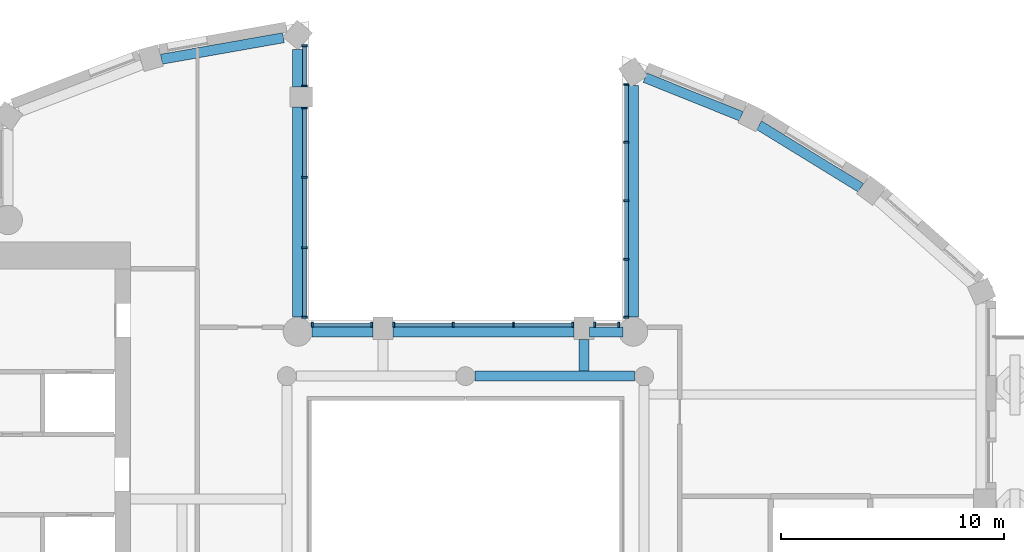
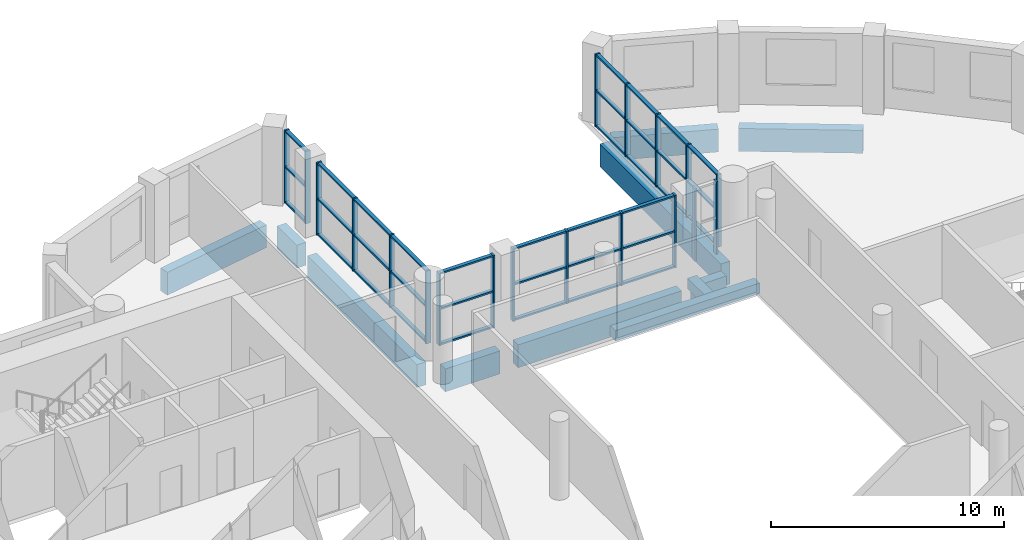
# One storey, part 2 of 14: 55 members, 11 beams, 6 elements without a shape of their own.
"""IFC4 building model written with IfcOpenShell, lengths in metres."""

from ifc_helpers import new_model, si_unit, direction, frame, origin, origin_2d, place, context, subcontext, project, spatial, rectangle, extrude, material, material_profile, profile_set, type_object, element, aggregate, save


model = new_model("IFC4")

# Units and contexts
model_context = context("Model", 3, precision=1e-05, world=origin(), true_north=direction((0.0, 1.0)))
body_context = subcontext(model_context, "Body", "Model", "MODEL_VIEW")
ifc_project = project(units=[si_unit("LENGTHUNIT", "METRE"), si_unit("AREAUNIT", "SQUARE_METRE"), si_unit("VOLUMEUNIT", "CUBIC_METRE"), si_unit("PLANEANGLEUNIT", "RADIAN"), si_unit("MASSUNIT", "GRAM", prefix="KILO")], contexts=[model_context])

# Site, building, storey
site_placement = place(None, origin())
site = spatial("IfcSite", under=ifc_project, at=site_placement, CompositionType="ELEMENT")
building_placement = place(site_placement, origin())
building = spatial("IfcBuilding", under=site, at=building_placement, Name="Cypress Arch Tower", CompositionType="ELEMENT")
storey_placement = place(building_placement, frame((0.0, 0.0, 251.60009765625)))
storey = spatial("IfcBuildingStorey", under=building, at=storey_placement, Name="L56", CompositionType="ELEMENT", Elevation=251.60009765625)

# Beams
ifc_material_1 = material(Name="Concrete C50/60", Category="concrete")
ifc_material_profile_1 = material_profile(ifc_material_1, rectangle(XDim=0.449951171875, YDim=0.550048828125, at=origin_2d()), Name="RC 450x550")
ifc_profile_set_1 = profile_set([ifc_material_profile_1], Name="Concrete C50/60")
beam_type_1 = type_object("IfcBeamType", Name="Floor beam RC 450x550 Concrete C50/60", PredefinedType="BEAM", material=ifc_profile_set_1)
beam_1_placement = place(storey_placement, frame((1.425048828125, 10.0, -0.5751953125), z_axis=(1.0, 0.0, 0.0), x_axis=(0.0, 1.0, 0.0)))
element("IfcBeam", 1, at=beam_1_placement, inside=storey, type_object=beam_type_1, Name="Floor beam L56 RB008", PredefinedType="BEAM", context=body_context, shape_type="SweptSolid", body=[
    extrude(rectangle(XDim=0.449951171875, YDim=0.550048828125, at=origin_2d()), origin(), (0.0, 0.0, 1.0), 7.14990234375),
])
beam_2_placement = place(storey_placement, frame((6.300048828125, 10.22509765625, -0.5751953125), z_axis=(0.0, 1.0, 0.0), x_axis=(-1.0, 0.0, 0.0)))
element("IfcBeam", 2, at=beam_2_placement, inside=storey, type_object=beam_type_1, Name="Floor beam L56 FB013", PredefinedType="BEAM", context=body_context, shape_type="SweptSolid", body=[
    extrude(rectangle(XDim=0.449951171875, YDim=0.550048828125, at=origin_2d()), origin(), (0.0, 0.0, 1.0), 1.4248046875),
])

# Curtain wall, members
ifc_material_2 = material(Name="Anodised aluminium, bronze finish, clear laminated double glazing", Category="aluminium")
curtain_wall_type = type_object("IfcCurtainWallType", Name="Curtain wall CW7 slot glazing", PredefinedType="NOTDEFINED", material=ifc_material_2)
curtain_wall_1_placement = place(storey_placement, origin())
curtain_wall_1 = element("IfcCurtainWall", 3, at=curtain_wall_1_placement, inside=storey, type_object=curtain_wall_type, Name="Curtain wall L56 slot C00.0", PredefinedType="NOTDEFINED")
ifc_material_3 = material(Name="Anodised aluminium, bronze finish", Category="aluminium")
ifc_material_profile_2 = material_profile(ifc_material_3, rectangle(XDim=0.239990234375, YDim=0.0849609375, at=origin_2d()), Name="Mullion 85x240")
ifc_profile_set_2 = profile_set([ifc_material_profile_2], Name="Anodised aluminium, bronze finish")
member_type_1 = type_object("IfcMemberType", Name="Mullion CW7 85x240", PredefinedType="MULLION", material=ifc_profile_set_2)
member_1_placement = place(storey_placement, frame((8.199951171875, 23.060302734375, 0.0), z_axis=(0.0, 0.0, 1.0), x_axis=(1.0, 0.0, 0.0)))
member_1 = element("IfcMember", 4, at=member_1_placement, type_object=member_type_1, Name="CW7 mullion 1", PredefinedType="MULLION", context=body_context, shape_type="SweptSolid", body=[
    extrude(rectangle(XDim=0.239990234375, YDim=0.0849609375, at=origin_2d()), origin(), (0.0, 0.0, 1.0), 3.7998046875),
])
member_2_placement = place(storey_placement, frame((8.199951171875, 20.477294921875, 0.0), z_axis=(0.0, 0.0, 1.0), x_axis=(1.0, 0.0, 0.0)))
member_2 = element("IfcMember", 5, at=member_2_placement, type_object=member_type_1, Name="CW7 mullion 2", PredefinedType="MULLION", context=body_context, shape_type="SweptSolid", body=[
    extrude(rectangle(XDim=0.239990234375, YDim=0.0849609375, at=origin_2d()), origin(), (0.0, 0.0, 1.0), 3.7998046875),
])
member_3_placement = place(storey_placement, frame((8.199951171875, 17.85205078125, 0.0), z_axis=(0.0, 0.0, 1.0), x_axis=(1.0, 0.0, 0.0)))
member_3 = element("IfcMember", 6, at=member_3_placement, type_object=member_type_1, Name="CW7 mullion 3", PredefinedType="MULLION", context=body_context, shape_type="SweptSolid", body=[
    extrude(rectangle(XDim=0.239990234375, YDim=0.0849609375, at=origin_2d()), origin(), (0.0, 0.0, 1.0), 3.7998046875),
])
member_4_placement = place(storey_placement, frame((8.199951171875, 15.226806640625, 0.0), z_axis=(0.0, 0.0, 1.0), x_axis=(1.0, 0.0, 0.0)))
member_4 = element("IfcMember", 7, at=member_4_placement, type_object=member_type_1, Name="CW7 mullion 4", PredefinedType="MULLION", context=body_context, shape_type="SweptSolid", body=[
    extrude(rectangle(XDim=0.239990234375, YDim=0.0849609375, at=origin_2d()), origin(), (0.0, 0.0, 1.0), 3.7998046875),
])
member_5_placement = place(storey_placement, frame((8.199951171875, 12.64404296875, 0.0), z_axis=(0.0, 0.0, 1.0), x_axis=(1.0, 0.0, 0.0)))
member_5 = element("IfcMember", 8, at=member_5_placement, type_object=member_type_1, Name="CW7 mullion 5", PredefinedType="MULLION", context=body_context, shape_type="SweptSolid", body=[
    extrude(rectangle(XDim=0.239990234375, YDim=0.0849609375, at=origin_2d()), origin(), (0.0, 0.0, 1.0), 3.7998046875),
])

curtain_wall_2_placement = place(storey_placement, origin())
curtain_wall_2 = element("IfcCurtainWall", 9, at=curtain_wall_2_placement, inside=storey, type_object=curtain_wall_type, Name="Curtain wall L56 slot C01.0", PredefinedType="NOTDEFINED")
member_6_placement = place(storey_placement, frame((7.85595703125, 12.300048828125, 0.0), z_axis=(0.0, 0.0, 1.0), x_axis=(0.0, -1.0, 0.0)))
member_6 = element("IfcMember", 10, at=member_6_placement, type_object=member_type_1, Name="CW7 mullion 1", PredefinedType="MULLION", context=body_context, shape_type="SweptSolid", body=[
    extrude(rectangle(XDim=0.239990234375, YDim=0.0849609375, at=origin_2d()), origin(), (0.0, 0.0, 1.0), 3.7998046875),
])
member_7_placement = place(storey_placement, frame((6.79248046875, 12.300048828125, 0.0), z_axis=(0.0, 0.0, 1.0), x_axis=(0.0, -1.0, 0.0)))
member_7 = element("IfcMember", 11, at=member_7_placement, type_object=member_type_1, Name="CW7 mullion 2", PredefinedType="MULLION", context=body_context, shape_type="SweptSolid", body=[
    extrude(rectangle(XDim=0.239990234375, YDim=0.0849609375, at=origin_2d()), origin(), (0.0, 0.0, 1.0), 3.7998046875),
])
aggregate(curtain_wall_2, [member_6, member_7])

curtain_wall_3_placement = place(storey_placement, origin())
curtain_wall_3 = element("IfcCurtainWall", 12, at=curtain_wall_3_placement, inside=storey, type_object=curtain_wall_type, Name="Curtain wall L56 slot C01.1", PredefinedType="NOTDEFINED")
member_8_placement = place(storey_placement, frame((5.8076171875, 12.300048828125, 0.0), z_axis=(0.0, 0.0, 1.0), x_axis=(0.0, -1.0, 0.0)))
member_8 = element("IfcMember", 13, at=member_8_placement, type_object=member_type_1, Name="CW7 mullion 1", PredefinedType="MULLION", context=body_context, shape_type="SweptSolid", body=[
    extrude(rectangle(XDim=0.239990234375, YDim=0.0849609375, at=origin_2d()), origin(), (0.0, 0.0, 1.0), 3.7998046875),
])
member_9_placement = place(storey_placement, frame((3.14990234375, 12.300048828125, 0.0), z_axis=(0.0, 0.0, 1.0), x_axis=(0.0, -1.0, 0.0)))
member_9 = element("IfcMember", 14, at=member_9_placement, type_object=member_type_1, Name="CW7 mullion 2", PredefinedType="MULLION", context=body_context, shape_type="SweptSolid", body=[
    extrude(rectangle(XDim=0.239990234375, YDim=0.0849609375, at=origin_2d()), origin(), (0.0, 0.0, 1.0), 3.7998046875),
])
member_10_placement = place(storey_placement, frame((0.449951171875, 12.300048828125, 0.0), z_axis=(0.0, 0.0, 1.0), x_axis=(0.0, -1.0, 0.0)))
member_10 = element("IfcMember", 15, at=member_10_placement, type_object=member_type_1, Name="CW7 mullion 3", PredefinedType="MULLION", context=body_context, shape_type="SweptSolid", body=[
    extrude(rectangle(XDim=0.239990234375, YDim=0.0849609375, at=origin_2d()), origin(), (0.0, 0.0, 1.0), 3.7998046875),
])
member_11_placement = place(storey_placement, frame((-2.20751953125, 12.300048828125, 0.0), z_axis=(0.0, 0.0, 1.0), x_axis=(0.0, -1.0, 0.0)))
member_11 = element("IfcMember", 16, at=member_11_placement, type_object=member_type_1, Name="CW7 mullion 4", PredefinedType="MULLION", context=body_context, shape_type="SweptSolid", body=[
    extrude(rectangle(XDim=0.239990234375, YDim=0.0849609375, at=origin_2d()), origin(), (0.0, 0.0, 1.0), 3.7998046875),
])

curtain_wall_4_placement = place(storey_placement, origin())
curtain_wall_4 = element("IfcCurtainWall", 17, at=curtain_wall_4_placement, inside=storey, type_object=curtain_wall_type, Name="Curtain wall L56 slot C01.2", PredefinedType="NOTDEFINED")
member_12_placement = place(storey_placement, frame((-3.1923828125, 12.300048828125, 0.0), z_axis=(0.0, 0.0, 1.0), x_axis=(0.0, -1.0, 0.0)))
member_12 = element("IfcMember", 18, at=member_12_placement, type_object=member_type_1, Name="CW7 mullion 1", PredefinedType="MULLION", context=body_context, shape_type="SweptSolid", body=[
    extrude(rectangle(XDim=0.239990234375, YDim=0.0849609375, at=origin_2d()), origin(), (0.0, 0.0, 1.0), 3.7998046875),
])
member_13_placement = place(storey_placement, frame((-5.85595703125, 12.300048828125, 0.0), z_axis=(0.0, 0.0, 1.0), x_axis=(0.0, -1.0, 0.0)))
member_13 = element("IfcMember", 19, at=member_13_placement, type_object=member_type_1, Name="CW7 mullion 2", PredefinedType="MULLION", context=body_context, shape_type="SweptSolid", body=[
    extrude(rectangle(XDim=0.239990234375, YDim=0.0849609375, at=origin_2d()), origin(), (0.0, 0.0, 1.0), 3.7998046875),
])

curtain_wall_5_placement = place(storey_placement, origin())
curtain_wall_5 = element("IfcCurtainWall", 20, at=curtain_wall_5_placement, inside=storey, type_object=curtain_wall_type, Name="Curtain wall L56 slot C02.0", PredefinedType="NOTDEFINED")
member_14_placement = place(storey_placement, frame((-6.199951171875, 12.64404296875, 0.0), z_axis=(0.0, 0.0, 1.0), x_axis=(-1.0, 0.0, 0.0)))
member_14 = element("IfcMember", 21, at=member_14_placement, type_object=member_type_1, Name="CW7 mullion 1", PredefinedType="MULLION", context=body_context, shape_type="SweptSolid", body=[
    extrude(rectangle(XDim=0.239990234375, YDim=0.0849609375, at=origin_2d()), origin(), (0.0, 0.0, 1.0), 3.7998046875),
])
member_15_placement = place(storey_placement, frame((-6.199951171875, 15.7509765625, 0.0), z_axis=(0.0, 0.0, 1.0), x_axis=(-1.0, 0.0, 0.0)))
member_15 = element("IfcMember", 22, at=member_15_placement, type_object=member_type_1, Name="CW7 mullion 2", PredefinedType="MULLION", context=body_context, shape_type="SweptSolid", body=[
    extrude(rectangle(XDim=0.239990234375, YDim=0.0849609375, at=origin_2d()), origin(), (0.0, 0.0, 1.0), 3.7998046875),
])
member_16_placement = place(storey_placement, frame((-6.199951171875, 18.900390625, 0.0), z_axis=(0.0, 0.0, 1.0), x_axis=(-1.0, 0.0, 0.0)))
member_16 = element("IfcMember", 23, at=member_16_placement, type_object=member_type_1, Name="CW7 mullion 3", PredefinedType="MULLION", context=body_context, shape_type="SweptSolid", body=[
    extrude(rectangle(XDim=0.239990234375, YDim=0.0849609375, at=origin_2d()), origin(), (0.0, 0.0, 1.0), 3.7998046875),
])
member_17_placement = place(storey_placement, frame((-6.199951171875, 22.007568359375, 0.0), z_axis=(0.0, 0.0, 1.0), x_axis=(-1.0, 0.0, 0.0)))
member_17 = element("IfcMember", 24, at=member_17_placement, type_object=member_type_1, Name="CW7 mullion 4", PredefinedType="MULLION", context=body_context, shape_type="SweptSolid", body=[
    extrude(rectangle(XDim=0.239990234375, YDim=0.0849609375, at=origin_2d()), origin(), (0.0, 0.0, 1.0), 3.7998046875),
])

curtain_wall_6_placement = place(storey_placement, origin())
curtain_wall_6 = element("IfcCurtainWall", 25, at=curtain_wall_6_placement, inside=storey, type_object=curtain_wall_type, Name="Curtain wall L56 slot C02.1", PredefinedType="NOTDEFINED")
member_18_placement = place(storey_placement, frame((-6.199951171875, 22.992431640625, 0.0), z_axis=(0.0, 0.0, 1.0), x_axis=(-1.0, 0.0, 0.0)))
member_18 = element("IfcMember", 26, at=member_18_placement, type_object=member_type_1, Name="CW7 mullion 1", PredefinedType="MULLION", context=body_context, shape_type="SweptSolid", body=[
    extrude(rectangle(XDim=0.239990234375, YDim=0.0849609375, at=origin_2d()), origin(), (0.0, 0.0, 1.0), 3.7998046875),
])
member_19_placement = place(storey_placement, frame((-6.199951171875, 24.789794921875, 0.0), z_axis=(0.0, 0.0, 1.0), x_axis=(-1.0, 0.0, 0.0)))
member_19 = element("IfcMember", 27, at=member_19_placement, type_object=member_type_1, Name="CW7 mullion 2", PredefinedType="MULLION", context=body_context, shape_type="SweptSolid", body=[
    extrude(rectangle(XDim=0.239990234375, YDim=0.0849609375, at=origin_2d()), origin(), (0.0, 0.0, 1.0), 3.7998046875),
])

# Beams
ifc_material_4 = material(Name="Concrete C50/60", Category="concrete")
ifc_material_profile_3 = material_profile(ifc_material_4, rectangle(XDim=0.449951171875, YDim=1.199951171875, at=origin_2d()), Name="RC 450x1200")
ifc_profile_set_3 = profile_set([ifc_material_profile_3], Name="Concrete C50/60")
beam_type_2 = type_object("IfcBeamType", Name="Spandrel beam RC 450x1200 Concrete C50/60", PredefinedType="SPANDREL", material=ifc_profile_set_3)
beam_3_placement = place(storey_placement, frame((8.52490234375, 23.017578125, -1.550048828125), z_axis=(0.0, -1.0, 0.0), x_axis=(1.0, 0.0, 0.0)))
element("IfcBeam", 28, at=beam_3_placement, inside=storey, type_object=beam_type_2, Name="Spandrel beam L56 BC00-0", PredefinedType="SPANDREL", context=body_context, shape_type="SweptSolid", body=[
    extrude(rectangle(XDim=0.449951171875, YDim=1.199951171875, at=origin_2d()), origin(), (0.0, 0.0, 1.0), 10.380126953125),
])
beam_4_placement = place(storey_placement, frame((8.05615234375, 11.97509765625, -1.550048828125), z_axis=(-1.0, 0.0, 0.0), x_axis=(0.0, -1.0, 0.0)))
element("IfcBeam", 29, at=beam_4_placement, inside=storey, type_object=beam_type_2, Name="Spandrel beam L56 BC01-0", PredefinedType="SPANDREL", context=body_context, shape_type="SweptSolid", body=[
    extrude(rectangle(XDim=0.449951171875, YDim=1.199951171875, at=origin_2d()), origin(), (0.0, 0.0, 1.0), 1.5),
])
beam_5_placement = place(storey_placement, frame((5.85009765625, 11.97509765625, -1.550048828125), z_axis=(-1.0, 0.0, 0.0), x_axis=(0.0, -1.0, 0.0)))
element("IfcBeam", 30, at=beam_5_placement, inside=storey, type_object=beam_type_2, Name="Spandrel beam L56 BC01-1", PredefinedType="SPANDREL", context=body_context, shape_type="SweptSolid", body=[
    extrude(rectangle(XDim=0.449951171875, YDim=1.199951171875, at=origin_2d()), origin(), (0.0, 0.0, 1.0), 8.10009765625),
])
beam_6_placement = place(storey_placement, frame((-3.14990234375, 11.97509765625, -1.550048828125), z_axis=(-1.0, 0.0, 0.0), x_axis=(0.0, -1.0, 0.0)))
element("IfcBeam", 31, at=beam_6_placement, inside=storey, type_object=beam_type_2, Name="Spandrel beam L56 BC01-2", PredefinedType="SPANDREL", context=body_context, shape_type="SweptSolid", body=[
    extrude(rectangle(XDim=0.449951171875, YDim=1.199951171875, at=origin_2d()), origin(), (0.0, 0.0, 1.0), 2.712646484375),
])
beam_7_placement = place(storey_placement, frame((-6.52490234375, 12.637451171875, -1.550048828125), z_axis=(0.0, 1.0, 0.0), x_axis=(-1.0, 0.0, 0.0)))
element("IfcBeam", 32, at=beam_7_placement, inside=storey, type_object=beam_type_2, Name="Spandrel beam L56 BC02-0", PredefinedType="SPANDREL", context=body_context, shape_type="SweptSolid", body=[
    extrude(rectangle(XDim=0.449951171875, YDim=1.199951171875, at=origin_2d()), origin(), (0.0, 0.0, 1.0), 9.41259765625),
])
beam_8_placement = place(storey_placement, frame((-6.52490234375, 22.949951171875, -1.550048828125), z_axis=(0.0, 1.0, 0.0), x_axis=(-1.0, 0.0, 0.0)))
element("IfcBeam", 33, at=beam_8_placement, inside=storey, type_object=beam_type_2, Name="Spandrel beam L56 BC02-1", PredefinedType="SPANDREL", context=body_context, shape_type="SweptSolid", body=[
    extrude(rectangle(XDim=0.449951171875, YDim=1.199951171875, at=origin_2d()), origin(), (0.0, 0.0, 1.0), 1.6796875),
])
beam_9_placement = place(storey_placement, frame((-7.14990234375, 25.154052734375, -1.550048828125), z_axis=(-0.984800388539, -0.173689938494, 0.0), x_axis=(0.173689938494, -0.984800388539, 0.0)))
element("IfcBeam", 34, at=beam_9_placement, inside=storey, type_object=beam_type_2, Name="Spandrel beam L56 BC03-0", PredefinedType="SPANDREL", context=body_context, shape_type="SweptSolid", body=[
    extrude(rectangle(XDim=0.449951171875, YDim=1.199951171875, at=origin_2d()), origin(), (0.0, 0.0, 1.0), 5.5478515625),
])
beam_10_placement = place(storey_placement, frame((18.700927734375, 18.43359375, -1.550048828125), z_axis=(-0.851880940975, 0.523735488966, 0.0), x_axis=(-0.523735488966, -0.851880940975, 0.0)))
element("IfcBeam", 35, at=beam_10_placement, inside=storey, type_object=beam_type_2, Name="Spandrel beam L56 BC19-0", PredefinedType="SPANDREL", context=body_context, shape_type="SweptSolid", body=[
    extrude(rectangle(XDim=0.449951171875, YDim=1.199951171875, at=origin_2d()), origin(), (0.0, 0.0, 1.0), 5.344970703125),
])
beam_11_placement = place(storey_placement, frame((13.343994140625, 21.6376953125, -1.550048828125), z_axis=(-0.92793836678, 0.372733668263, 0.0), x_axis=(-0.372733668263, -0.92793836678, 0.0)))
element("IfcBeam", 36, at=beam_11_placement, inside=storey, type_object=beam_type_2, Name="Spandrel beam L56 BC20-0", PredefinedType="SPANDREL", context=body_context, shape_type="SweptSolid", body=[
    extrude(rectangle(XDim=0.449951171875, YDim=1.199951171875, at=origin_2d()), origin(), (0.0, 0.0, 1.0), 4.637451171875),
])

# Member
ifc_material_5 = material(Name="Anodised aluminium, bronze finish", Category="aluminium")
ifc_material_profile_4 = material_profile(ifc_material_5, rectangle(XDim=0.179931640625, YDim=0.0849609375, at=origin_2d()), Name="Transom 85x180")
ifc_profile_set_4 = profile_set([ifc_material_profile_4], Name="Anodised aluminium, bronze finish")
member_type_2 = type_object("IfcMemberType", Name="Transom CW7 85x180", PredefinedType="USERDEFINED", material=ifc_profile_set_4)
member_20_placement = place(storey_placement, frame((8.199951171875, 23.017578125, 0.04248046875), z_axis=(0.0, -1.0, 0.0), x_axis=(1.0, 0.0, 0.0)))
member_20 = element("IfcMember", 37, at=member_20_placement, type_object=member_type_2, Name="CW7 transom 1.1", ObjectType="TRANSOM", PredefinedType="USERDEFINED", context=body_context, shape_type="SweptSolid", body=[
    extrude(rectangle(XDim=0.179931640625, YDim=0.0849609375, at=origin_2d()), origin(), (0.0, 0.0, 1.0), 2.497802734375),
])

member_21_placement = place(storey_placement, frame((8.199951171875, 23.017578125, 1.89990234375), z_axis=(0.0, -1.0, 0.0), x_axis=(1.0, 0.0, 0.0)))
member_21 = element("IfcMember", 38, at=member_21_placement, type_object=member_type_2, Name="CW7 transom 1.2", ObjectType="TRANSOM", PredefinedType="USERDEFINED", context=body_context, shape_type="SweptSolid", body=[
    extrude(rectangle(XDim=0.179931640625, YDim=0.0849609375, at=origin_2d()), origin(), (0.0, 0.0, 1.0), 2.497802734375),
])

member_22_placement = place(storey_placement, frame((8.199951171875, 23.017578125, 3.75732421875), z_axis=(0.0, -1.0, 0.0), x_axis=(1.0, 0.0, 0.0)))
member_22 = element("IfcMember", 39, at=member_22_placement, type_object=member_type_2, Name="CW7 transom 1.3", ObjectType="TRANSOM", PredefinedType="USERDEFINED", context=body_context, shape_type="SweptSolid", body=[
    extrude(rectangle(XDim=0.179931640625, YDim=0.0849609375, at=origin_2d()), origin(), (0.0, 0.0, 1.0), 2.497802734375),
])

member_23_placement = place(storey_placement, frame((8.199951171875, 20.434814453125, 0.04248046875), z_axis=(0.0, -1.0, 0.0), x_axis=(1.0, 0.0, 0.0)))
member_23 = element("IfcMember", 40, at=member_23_placement, type_object=member_type_2, Name="CW7 transom 2.1", ObjectType="TRANSOM", PredefinedType="USERDEFINED", context=body_context, shape_type="SweptSolid", body=[
    extrude(rectangle(XDim=0.179931640625, YDim=0.0849609375, at=origin_2d()), origin(), (0.0, 0.0, 1.0), 2.540283203125),
])

member_24_placement = place(storey_placement, frame((8.199951171875, 20.434814453125, 1.89990234375), z_axis=(0.0, -1.0, 0.0), x_axis=(1.0, 0.0, 0.0)))
member_24 = element("IfcMember", 41, at=member_24_placement, type_object=member_type_2, Name="CW7 transom 2.2", ObjectType="TRANSOM", PredefinedType="USERDEFINED", context=body_context, shape_type="SweptSolid", body=[
    extrude(rectangle(XDim=0.179931640625, YDim=0.0849609375, at=origin_2d()), origin(), (0.0, 0.0, 1.0), 2.540283203125),
])

member_25_placement = place(storey_placement, frame((8.199951171875, 20.434814453125, 3.75732421875), z_axis=(0.0, -1.0, 0.0), x_axis=(1.0, 0.0, 0.0)))
member_25 = element("IfcMember", 42, at=member_25_placement, type_object=member_type_2, Name="CW7 transom 2.3", ObjectType="TRANSOM", PredefinedType="USERDEFINED", context=body_context, shape_type="SweptSolid", body=[
    extrude(rectangle(XDim=0.179931640625, YDim=0.0849609375, at=origin_2d()), origin(), (0.0, 0.0, 1.0), 2.540283203125),
])

member_26_placement = place(storey_placement, frame((8.199951171875, 17.8095703125, 0.04248046875), z_axis=(0.0, -1.0, 0.0), x_axis=(1.0, 0.0, 0.0)))
member_26 = element("IfcMember", 43, at=member_26_placement, type_object=member_type_2, Name="CW7 transom 3.1", ObjectType="TRANSOM", PredefinedType="USERDEFINED", context=body_context, shape_type="SweptSolid", body=[
    extrude(rectangle(XDim=0.179931640625, YDim=0.0849609375, at=origin_2d()), origin(), (0.0, 0.0, 1.0), 2.540283203125),
])

member_27_placement = place(storey_placement, frame((8.199951171875, 17.8095703125, 1.89990234375), z_axis=(0.0, -1.0, 0.0), x_axis=(1.0, 0.0, 0.0)))
member_27 = element("IfcMember", 44, at=member_27_placement, type_object=member_type_2, Name="CW7 transom 3.2", ObjectType="TRANSOM", PredefinedType="USERDEFINED", context=body_context, shape_type="SweptSolid", body=[
    extrude(rectangle(XDim=0.179931640625, YDim=0.0849609375, at=origin_2d()), origin(), (0.0, 0.0, 1.0), 2.540283203125),
])

member_28_placement = place(storey_placement, frame((8.199951171875, 17.8095703125, 3.75732421875), z_axis=(0.0, -1.0, 0.0), x_axis=(1.0, 0.0, 0.0)))
member_28 = element("IfcMember", 45, at=member_28_placement, type_object=member_type_2, Name="CW7 transom 3.3", ObjectType="TRANSOM", PredefinedType="USERDEFINED", context=body_context, shape_type="SweptSolid", body=[
    extrude(rectangle(XDim=0.179931640625, YDim=0.0849609375, at=origin_2d()), origin(), (0.0, 0.0, 1.0), 2.540283203125),
])

member_29_placement = place(storey_placement, frame((8.199951171875, 15.184326171875, 0.04248046875), z_axis=(0.0, -1.0, 0.0), x_axis=(1.0, 0.0, 0.0)))
member_29 = element("IfcMember", 46, at=member_29_placement, type_object=member_type_2, Name="CW7 transom 4.1", ObjectType="TRANSOM", PredefinedType="USERDEFINED", context=body_context, shape_type="SweptSolid", body=[
    extrude(rectangle(XDim=0.179931640625, YDim=0.0849609375, at=origin_2d()), origin(), (0.0, 0.0, 1.0), 2.497802734375),
])

member_30_placement = place(storey_placement, frame((8.199951171875, 15.184326171875, 1.89990234375), z_axis=(0.0, -1.0, 0.0), x_axis=(1.0, 0.0, 0.0)))
member_30 = element("IfcMember", 47, at=member_30_placement, type_object=member_type_2, Name="CW7 transom 4.2", ObjectType="TRANSOM", PredefinedType="USERDEFINED", context=body_context, shape_type="SweptSolid", body=[
    extrude(rectangle(XDim=0.179931640625, YDim=0.0849609375, at=origin_2d()), origin(), (0.0, 0.0, 1.0), 2.497802734375),
])

member_31_placement = place(storey_placement, frame((8.199951171875, 15.184326171875, 3.75732421875), z_axis=(0.0, -1.0, 0.0), x_axis=(1.0, 0.0, 0.0)))
member_31 = element("IfcMember", 48, at=member_31_placement, type_object=member_type_2, Name="CW7 transom 4.3", ObjectType="TRANSOM", PredefinedType="USERDEFINED", context=body_context, shape_type="SweptSolid", body=[
    extrude(rectangle(XDim=0.179931640625, YDim=0.0849609375, at=origin_2d()), origin(), (0.0, 0.0, 1.0), 2.497802734375),
])

aggregate(curtain_wall_1, [member_1, member_2, member_3, member_4, member_5, member_20, member_21, member_22, member_23, member_24, member_25, member_26, member_27, member_28, member_29, member_30, member_31])

member_32_placement = place(storey_placement, frame((5.764892578125, 12.300048828125, 0.04248046875), z_axis=(-1.0, 0.0, 0.0), x_axis=(0.0, -1.0, 0.0)))
member_32 = element("IfcMember", 49, at=member_32_placement, type_object=member_type_2, Name="CW7 transom 1.1", ObjectType="TRANSOM", PredefinedType="USERDEFINED", context=body_context, shape_type="SweptSolid", body=[
    extrude(rectangle(XDim=0.179931640625, YDim=0.0849609375, at=origin_2d()), origin(), (0.0, 0.0, 1.0), 2.572509765625),
])

member_33_placement = place(storey_placement, frame((5.764892578125, 12.300048828125, 1.89990234375), z_axis=(-1.0, 0.0, 0.0), x_axis=(0.0, -1.0, 0.0)))
member_33 = element("IfcMember", 50, at=member_33_placement, type_object=member_type_2, Name="CW7 transom 1.2", ObjectType="TRANSOM", PredefinedType="USERDEFINED", context=body_context, shape_type="SweptSolid", body=[
    extrude(rectangle(XDim=0.179931640625, YDim=0.0849609375, at=origin_2d()), origin(), (0.0, 0.0, 1.0), 2.572509765625),
])

member_34_placement = place(storey_placement, frame((5.764892578125, 12.300048828125, 3.75732421875), z_axis=(-1.0, 0.0, 0.0), x_axis=(0.0, -1.0, 0.0)))
member_34 = element("IfcMember", 51, at=member_34_placement, type_object=member_type_2, Name="CW7 transom 1.3", ObjectType="TRANSOM", PredefinedType="USERDEFINED", context=body_context, shape_type="SweptSolid", body=[
    extrude(rectangle(XDim=0.179931640625, YDim=0.0849609375, at=origin_2d()), origin(), (0.0, 0.0, 1.0), 2.572509765625),
])

member_35_placement = place(storey_placement, frame((3.107421875, 12.300048828125, 0.04248046875), z_axis=(-1.0, 0.0, 0.0), x_axis=(0.0, -1.0, 0.0)))
member_35 = element("IfcMember", 52, at=member_35_placement, type_object=member_type_2, Name="CW7 transom 2.1", ObjectType="TRANSOM", PredefinedType="USERDEFINED", context=body_context, shape_type="SweptSolid", body=[
    extrude(rectangle(XDim=0.179931640625, YDim=0.0849609375, at=origin_2d()), origin(), (0.0, 0.0, 1.0), 2.614990234375),
])

member_36_placement = place(storey_placement, frame((3.107421875, 12.300048828125, 1.89990234375), z_axis=(-1.0, 0.0, 0.0), x_axis=(0.0, -1.0, 0.0)))
member_36 = element("IfcMember", 53, at=member_36_placement, type_object=member_type_2, Name="CW7 transom 2.2", ObjectType="TRANSOM", PredefinedType="USERDEFINED", context=body_context, shape_type="SweptSolid", body=[
    extrude(rectangle(XDim=0.179931640625, YDim=0.0849609375, at=origin_2d()), origin(), (0.0, 0.0, 1.0), 2.614990234375),
])

member_37_placement = place(storey_placement, frame((3.107421875, 12.300048828125, 3.75732421875), z_axis=(-1.0, 0.0, 0.0), x_axis=(0.0, -1.0, 0.0)))
member_37 = element("IfcMember", 54, at=member_37_placement, type_object=member_type_2, Name="CW7 transom 2.3", ObjectType="TRANSOM", PredefinedType="USERDEFINED", context=body_context, shape_type="SweptSolid", body=[
    extrude(rectangle(XDim=0.179931640625, YDim=0.0849609375, at=origin_2d()), origin(), (0.0, 0.0, 1.0), 2.614990234375),
])

member_38_placement = place(storey_placement, frame((0.407470703125, 12.300048828125, 0.04248046875), z_axis=(-1.0, 0.0, 0.0), x_axis=(0.0, -1.0, 0.0)))
member_38 = element("IfcMember", 55, at=member_38_placement, type_object=member_type_2, Name="CW7 transom 3.1", ObjectType="TRANSOM", PredefinedType="USERDEFINED", context=body_context, shape_type="SweptSolid", body=[
    extrude(rectangle(XDim=0.179931640625, YDim=0.0849609375, at=origin_2d()), origin(), (0.0, 0.0, 1.0), 2.572509765625),
])

member_39_placement = place(storey_placement, frame((0.407470703125, 12.300048828125, 1.89990234375), z_axis=(-1.0, 0.0, 0.0), x_axis=(0.0, -1.0, 0.0)))
member_39 = element("IfcMember", 56, at=member_39_placement, type_object=member_type_2, Name="CW7 transom 3.2", ObjectType="TRANSOM", PredefinedType="USERDEFINED", context=body_context, shape_type="SweptSolid", body=[
    extrude(rectangle(XDim=0.179931640625, YDim=0.0849609375, at=origin_2d()), origin(), (0.0, 0.0, 1.0), 2.572509765625),
])

member_40_placement = place(storey_placement, frame((0.407470703125, 12.300048828125, 3.75732421875), z_axis=(-1.0, 0.0, 0.0), x_axis=(0.0, -1.0, 0.0)))
member_40 = element("IfcMember", 57, at=member_40_placement, type_object=member_type_2, Name="CW7 transom 3.3", ObjectType="TRANSOM", PredefinedType="USERDEFINED", context=body_context, shape_type="SweptSolid", body=[
    extrude(rectangle(XDim=0.179931640625, YDim=0.0849609375, at=origin_2d()), origin(), (0.0, 0.0, 1.0), 2.572509765625),
])

aggregate(curtain_wall_3, [member_8, member_9, member_10, member_11, member_32, member_33, member_34, member_35, member_36, member_37, member_38, member_39, member_40])

member_41_placement = place(storey_placement, frame((-3.235107421875, 12.300048828125, 0.04248046875), z_axis=(-1.0, 0.0, 0.0), x_axis=(0.0, -1.0, 0.0)))
member_41 = element("IfcMember", 58, at=member_41_placement, type_object=member_type_2, Name="CW7 transom 1.1", ObjectType="TRANSOM", PredefinedType="USERDEFINED", context=body_context, shape_type="SweptSolid", body=[
    extrude(rectangle(XDim=0.179931640625, YDim=0.0849609375, at=origin_2d()), origin(), (0.0, 0.0, 1.0), 2.578369140625),
])

member_42_placement = place(storey_placement, frame((-3.235107421875, 12.300048828125, 1.89990234375), z_axis=(-1.0, 0.0, 0.0), x_axis=(0.0, -1.0, 0.0)))
member_42 = element("IfcMember", 59, at=member_42_placement, type_object=member_type_2, Name="CW7 transom 1.2", ObjectType="TRANSOM", PredefinedType="USERDEFINED", context=body_context, shape_type="SweptSolid", body=[
    extrude(rectangle(XDim=0.179931640625, YDim=0.0849609375, at=origin_2d()), origin(), (0.0, 0.0, 1.0), 2.578369140625),
])

member_43_placement = place(storey_placement, frame((-3.235107421875, 12.300048828125, 3.75732421875), z_axis=(-1.0, 0.0, 0.0), x_axis=(0.0, -1.0, 0.0)))
member_43 = element("IfcMember", 60, at=member_43_placement, type_object=member_type_2, Name="CW7 transom 1.3", ObjectType="TRANSOM", PredefinedType="USERDEFINED", context=body_context, shape_type="SweptSolid", body=[
    extrude(rectangle(XDim=0.179931640625, YDim=0.0849609375, at=origin_2d()), origin(), (0.0, 0.0, 1.0), 2.578369140625),
])

aggregate(curtain_wall_4, [member_12, member_13, member_41, member_42, member_43])

member_44_placement = place(storey_placement, frame((-6.199951171875, 12.6865234375, 0.04248046875), z_axis=(0.0, 1.0, 0.0), x_axis=(-1.0, 0.0, 0.0)))
member_44 = element("IfcMember", 61, at=member_44_placement, type_object=member_type_2, Name="CW7 transom 1.1", ObjectType="TRANSOM", PredefinedType="USERDEFINED", context=body_context, shape_type="SweptSolid", body=[
    extrude(rectangle(XDim=0.179931640625, YDim=0.0849609375, at=origin_2d()), origin(), (0.0, 0.0, 1.0), 3.02197265625),
])

member_45_placement = place(storey_placement, frame((-6.199951171875, 12.6865234375, 1.89990234375), z_axis=(0.0, 1.0, 0.0), x_axis=(-1.0, 0.0, 0.0)))
member_45 = element("IfcMember", 62, at=member_45_placement, type_object=member_type_2, Name="CW7 transom 1.2", ObjectType="TRANSOM", PredefinedType="USERDEFINED", context=body_context, shape_type="SweptSolid", body=[
    extrude(rectangle(XDim=0.179931640625, YDim=0.0849609375, at=origin_2d()), origin(), (0.0, 0.0, 1.0), 3.02197265625),
])

member_46_placement = place(storey_placement, frame((-6.199951171875, 12.6865234375, 3.75732421875), z_axis=(0.0, 1.0, 0.0), x_axis=(-1.0, 0.0, 0.0)))
member_46 = element("IfcMember", 63, at=member_46_placement, type_object=member_type_2, Name="CW7 transom 1.3", ObjectType="TRANSOM", PredefinedType="USERDEFINED", context=body_context, shape_type="SweptSolid", body=[
    extrude(rectangle(XDim=0.179931640625, YDim=0.0849609375, at=origin_2d()), origin(), (0.0, 0.0, 1.0), 3.02197265625),
])

member_47_placement = place(storey_placement, frame((-6.199951171875, 15.79345703125, 0.04248046875), z_axis=(0.0, 1.0, 0.0), x_axis=(-1.0, 0.0, 0.0)))
member_47 = element("IfcMember", 64, at=member_47_placement, type_object=member_type_2, Name="CW7 transom 2.1", ObjectType="TRANSOM", PredefinedType="USERDEFINED", context=body_context, shape_type="SweptSolid", body=[
    extrude(rectangle(XDim=0.179931640625, YDim=0.0849609375, at=origin_2d()), origin(), (0.0, 0.0, 1.0), 3.064453125),
])

member_48_placement = place(storey_placement, frame((-6.199951171875, 15.79345703125, 1.89990234375), z_axis=(0.0, 1.0, 0.0), x_axis=(-1.0, 0.0, 0.0)))
member_48 = element("IfcMember", 65, at=member_48_placement, type_object=member_type_2, Name="CW7 transom 2.2", ObjectType="TRANSOM", PredefinedType="USERDEFINED", context=body_context, shape_type="SweptSolid", body=[
    extrude(rectangle(XDim=0.179931640625, YDim=0.0849609375, at=origin_2d()), origin(), (0.0, 0.0, 1.0), 3.064453125),
])

member_49_placement = place(storey_placement, frame((-6.199951171875, 15.79345703125, 3.75732421875), z_axis=(0.0, 1.0, 0.0), x_axis=(-1.0, 0.0, 0.0)))
member_49 = element("IfcMember", 66, at=member_49_placement, type_object=member_type_2, Name="CW7 transom 2.3", ObjectType="TRANSOM", PredefinedType="USERDEFINED", context=body_context, shape_type="SweptSolid", body=[
    extrude(rectangle(XDim=0.179931640625, YDim=0.0849609375, at=origin_2d()), origin(), (0.0, 0.0, 1.0), 3.064453125),
])

member_50_placement = place(storey_placement, frame((-6.199951171875, 18.943115234375, 0.04248046875), z_axis=(0.0, 1.0, 0.0), x_axis=(-1.0, 0.0, 0.0)))
member_50 = element("IfcMember", 67, at=member_50_placement, type_object=member_type_2, Name="CW7 transom 3.1", ObjectType="TRANSOM", PredefinedType="USERDEFINED", context=body_context, shape_type="SweptSolid", body=[
    extrude(rectangle(XDim=0.179931640625, YDim=0.0849609375, at=origin_2d()), origin(), (0.0, 0.0, 1.0), 3.02197265625),
])

member_51_placement = place(storey_placement, frame((-6.199951171875, 18.943115234375, 1.89990234375), z_axis=(0.0, 1.0, 0.0), x_axis=(-1.0, 0.0, 0.0)))
member_51 = element("IfcMember", 68, at=member_51_placement, type_object=member_type_2, Name="CW7 transom 3.2", ObjectType="TRANSOM", PredefinedType="USERDEFINED", context=body_context, shape_type="SweptSolid", body=[
    extrude(rectangle(XDim=0.179931640625, YDim=0.0849609375, at=origin_2d()), origin(), (0.0, 0.0, 1.0), 3.02197265625),
])

member_52_placement = place(storey_placement, frame((-6.199951171875, 18.943115234375, 3.75732421875), z_axis=(0.0, 1.0, 0.0), x_axis=(-1.0, 0.0, 0.0)))
member_52 = element("IfcMember", 69, at=member_52_placement, type_object=member_type_2, Name="CW7 transom 3.3", ObjectType="TRANSOM", PredefinedType="USERDEFINED", context=body_context, shape_type="SweptSolid", body=[
    extrude(rectangle(XDim=0.179931640625, YDim=0.0849609375, at=origin_2d()), origin(), (0.0, 0.0, 1.0), 3.02197265625),
])

aggregate(curtain_wall_5, [member_14, member_15, member_16, member_17, member_44, member_45, member_46, member_47, member_48, member_49, member_50, member_51, member_52])

member_53_placement = place(storey_placement, frame((-6.199951171875, 23.034912109375, 0.04248046875), z_axis=(0.0, 1.0, 0.0), x_axis=(-1.0, 0.0, 0.0)))
member_53 = element("IfcMember", 70, at=member_53_placement, type_object=member_type_2, Name="CW7 transom 1.1", ObjectType="TRANSOM", PredefinedType="USERDEFINED", context=body_context, shape_type="SweptSolid", body=[
    extrude(rectangle(XDim=0.179931640625, YDim=0.0849609375, at=origin_2d()), origin(), (0.0, 0.0, 1.0), 1.71240234375),
])

member_54_placement = place(storey_placement, frame((-6.199951171875, 23.034912109375, 1.89990234375), z_axis=(0.0, 1.0, 0.0), x_axis=(-1.0, 0.0, 0.0)))
member_54 = element("IfcMember", 71, at=member_54_placement, type_object=member_type_2, Name="CW7 transom 1.2", ObjectType="TRANSOM", PredefinedType="USERDEFINED", context=body_context, shape_type="SweptSolid", body=[
    extrude(rectangle(XDim=0.179931640625, YDim=0.0849609375, at=origin_2d()), origin(), (0.0, 0.0, 1.0), 1.71240234375),
])

member_55_placement = place(storey_placement, frame((-6.199951171875, 23.034912109375, 3.75732421875), z_axis=(0.0, 1.0, 0.0), x_axis=(-1.0, 0.0, 0.0)))
member_55 = element("IfcMember", 72, at=member_55_placement, type_object=member_type_2, Name="CW7 transom 1.3", ObjectType="TRANSOM", PredefinedType="USERDEFINED", context=body_context, shape_type="SweptSolid", body=[
    extrude(rectangle(XDim=0.179931640625, YDim=0.0849609375, at=origin_2d()), origin(), (0.0, 0.0, 1.0), 1.71240234375),
])

aggregate(curtain_wall_6, [member_18, member_19, member_53, member_54, member_55])

save(model, "model.ifc")
